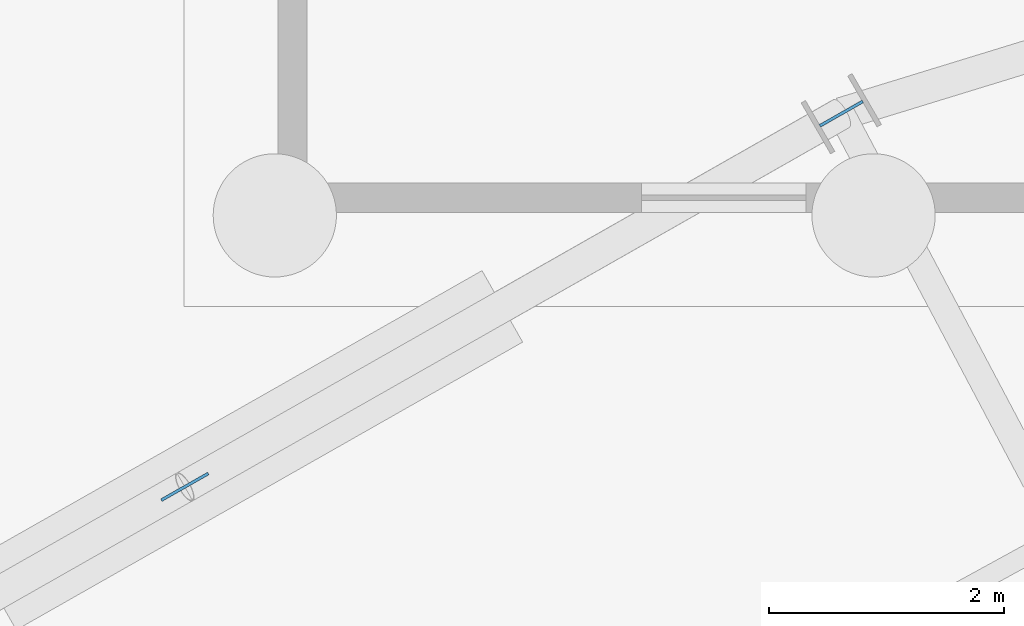
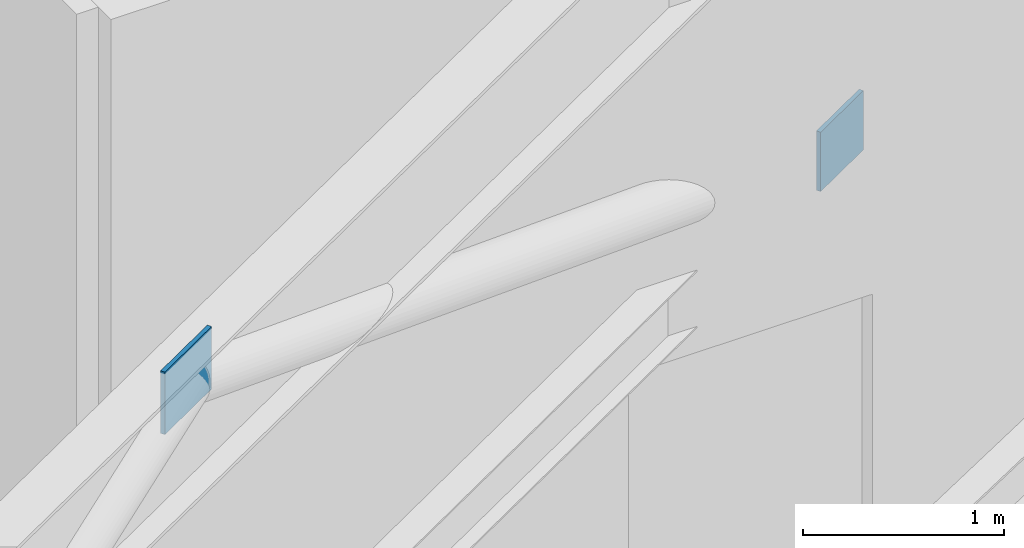
# One storey, part 46 of 93: 2 plates.
"""IFC4 building model written with IfcOpenShell, lengths in metres."""

import ifcopenshell
import ifcopenshell.guid

model = None  # the IFC model being written
_history = None  # IfcOwnerHistory: only IFC2X3 demands one
_inside = {}  # id of a spatial element -> (the spatial element, [elements in it])
_under = {}  # id of a project, library or spatial element -> (it, [spatial elements below it])
_declared = {}  # id of a project -> (the project, [libraries it declares])
_typed = {}  # id of a type object -> (the type object, [elements of that type])
_made_of = {}  # id of a material, layer set ... -> (it, [elements and type objects made of it])


def new_model(schema):
    """Start an empty IFC model of exactly this schema.

    Asked for "IFC4X3", IfcOpenShell would pick the latest addendum, in which some entities
    have other attributes; the version numbers below select the first issue.
    IFC2X3 requires an IfcOwnerHistory on every rooted entity: one is made here for all.
    """
    global model, _history
    if schema == "IFC4X3":
        model = ifcopenshell.file(schema_version=(4, 3, 0, 0))
    else:
        model = ifcopenshell.file(schema=schema)
    _inside.clear()
    _under.clear()
    _declared.clear()
    _typed.clear()
    _made_of.clear()
    _history = None
    if model.schema == "IFC2X3":
        org = make("IfcOrganization", Name="unknown")
        user = make(
            "IfcPersonAndOrganization",
            ThePerson=make("IfcPerson", FamilyName="unknown"),
            TheOrganization=org,
        )
        app = make(
            "IfcApplication",
            ApplicationDeveloper=org,
            Version="unknown",
            ApplicationFullName="unknown",
            ApplicationIdentifier="unknown",
        )
        _history = make(
            "IfcOwnerHistory",
            OwningUser=user,
            OwningApplication=app,
            ChangeAction="ADDED",
            CreationDate=0,
        )
    return model


def make(cls, **values):
    """One entity of the class cls with the attributes given. An attribute that is None is left unset."""
    return model.create_entity(
        cls, **{name: value for name, value in values.items() if value is not None}
    )


def rooted(cls, **values):
    """An entity with a GlobalId (a new one), such as an element, a storey or a relation."""
    return make(cls, GlobalId=ifcopenshell.guid.new(), OwnerHistory=_history, **values)


def si_unit(unit_type, name, prefix=None):
    """IfcSIUnit, for example si_unit("LENGTHUNIT", "METRE", prefix="MILLI")."""
    return make("IfcSIUnit", UnitType=unit_type, Prefix=prefix, Name=name)


def assignment(units):
    """IfcUnitAssignment: the units of a project."""
    return None if units is None else make("IfcUnitAssignment", Units=units)


def point(xyz):
    """IfcCartesianPoint."""
    return None if xyz is None else make("IfcCartesianPoint", Coordinates=xyz)


def direction(xyz):
    """IfcDirection."""
    return None if xyz is None else make("IfcDirection", DirectionRatios=xyz)


def frame(location, z_axis=None, x_axis=None):
    """IfcAxis2Placement3D, a coordinate frame: its origin and axes. An axis left out is left unset."""
    return make(
        "IfcAxis2Placement3D",
        Location=point(location),
        Axis=direction(z_axis),
        RefDirection=direction(x_axis),
    )


def frame_2d(location, x_axis=None):
    """IfcAxis2Placement2D, a coordinate frame in the plane: its origin and x axis."""
    return make(
        "IfcAxis2Placement2D", Location=point(location), RefDirection=direction(x_axis)
    )


def origin():
    """The frame at (0, 0, 0) with its axes left unset."""
    return frame((0.0, 0.0, 0.0))


def origin_2d():
    """The frame at (0, 0) in the plane with its x axis left unset."""
    return frame_2d((0.0, 0.0))


def place(relative_to, where):
    """IfcLocalPlacement: puts the frame where relative to a parent placement (None: the world)."""
    return make(
        "IfcLocalPlacement", PlacementRelTo=relative_to, RelativePlacement=where
    )


def context(
    kind, dimensions, precision=None, world=None, true_north=None, identifier=None
):
    """IfcGeometricRepresentationContext, for example the 3D "Model" context."""
    return make(
        "IfcGeometricRepresentationContext",
        ContextIdentifier=identifier,
        ContextType=kind,
        CoordinateSpaceDimension=dimensions,
        Precision=precision,
        WorldCoordinateSystem=world,
        TrueNorth=true_north,
    )


def subcontext(parent, identifier, kind, view, scale=None):
    """IfcGeometricRepresentationSubContext, for example "Body" below "Model"."""
    return make(
        "IfcGeometricRepresentationSubContext",
        ContextIdentifier=identifier,
        ContextType=kind,
        ParentContext=parent,
        TargetScale=scale,
        TargetView=view,
    )


def project(units=None, contexts=None):
    """IfcProject with its units and contexts."""
    return rooted(
        "IfcProject",
        Name="project",
        RepresentationContexts=contexts,
        UnitsInContext=assignment(units),
    )


def spatial(cls, under=None, at=None, **own):
    """A site, building, storey or space (cls), placed at a placement, below another one or the project."""
    s = rooted(cls, ObjectPlacement=at, **own)
    if under is not None:
        _under.setdefault(under.id(), (under, []))[1].append(s)
    return s


def profile(cls, at=None, kind="AREA", **sizes):
    """A parametric profile (cls). Its sizes go by their IFC names, for example OverallWidth=200.0."""
    return make(cls, ProfileType=kind, Position=at, **sizes)


def rectangle(**sizes):
    """IfcRectangleProfileDef."""
    return profile("IfcRectangleProfileDef", **sizes)


def extrude(swept, where, along, depth):
    """IfcExtrudedAreaSolid: the profile swept, set in the frame where, extruded along a direction by depth."""
    return make(
        "IfcExtrudedAreaSolid",
        SweptArea=swept,
        Position=where,
        ExtrudedDirection=direction(along),
        Depth=depth,
    )


def shape(context_of_items, identifier, shape_type, items):
    """IfcShapeRepresentation: the items that make up one representation, for example the "Body"."""
    return make(
        "IfcShapeRepresentation",
        ContextOfItems=context_of_items,
        RepresentationIdentifier=identifier,
        RepresentationType=shape_type,
        Items=items,
    )


def material(Name=None, Category=None):
    """IfcMaterial."""
    return make("IfcMaterial", Name=Name, Category=Category)


def layer(
    of_material, thickness, ventilated=None, Name=None, Category=None, Priority=None
):
    """IfcMaterialLayer: one layer of a wall or slab, of a material (None: an air gap)."""
    return make(
        "IfcMaterialLayer",
        Material=of_material,
        LayerThickness=thickness,
        IsVentilated=ventilated,
        Name=Name,
        Category=Category,
        Priority=Priority,
    )


def layer_set(layers, Name=None):
    """IfcMaterialLayerSet."""
    return make("IfcMaterialLayerSet", MaterialLayers=layers, LayerSetName=Name)


def made_of(thing, what):
    """Note that an element or type object is made of a material, layer set ...; save() writes the relation."""
    if what is not None:
        _made_of.setdefault(what.id(), (what, []))[1].append(thing)
    return thing


def type_object(cls, material=None, **own):
    """A type object (cls), such as IfcWallType, which elements share."""
    return made_of(rooted(cls, **own), material)


def element(
    cls,
    number,
    at=None,
    inside=None,
    cuts=None,
    type_object=None,
    material=None,
    context=None,
    identifier="Body",
    shape_type=None,
    held_by="IfcProductDefinitionShape",
    body=None,
    shapes=None,
    **own,
):
    """One element of the class cls, such as IfcWall. Its Tag is "e" and its number.

    at: its placement. inside: the storey or other place that contains it. cuts: it is an
    opening in that element (IfcRelVoidsElement). A single representation is given by context,
    identifier, shape_type and body (its items); several are given by shapes. held_by: the class
    of the entity that holds the representations. save() writes the other relations.
    """
    e = rooted(cls, Tag="e%d" % number, ObjectPlacement=at, **own)
    if body is not None:
        shapes = [shape(context, identifier, shape_type, body)]
    if shapes is not None:
        e.Representation = make(held_by, Representations=shapes)
    if inside is not None:
        _inside.setdefault(inside.id(), (inside, []))[1].append(e)
    if cuts is not None:
        rooted(
            "IfcRelVoidsElement", RelatingBuildingElement=cuts, RelatedOpeningElement=e
        )
    if type_object is not None:
        _typed.setdefault(type_object.id(), (type_object, []))[1].append(e)
    return made_of(e, material)


def aggregate(whole, parts):
    """IfcRelAggregates: a whole, such as a stair, and the parts it consists of."""
    return rooted("IfcRelAggregates", RelatingObject=whole, RelatedObjects=parts)


def save(model, path):
    """Write the relations noted so far, then the file.

    IfcRelAggregates (storeys below a building ...), IfcRelContainedInSpatialStructure (elements
    in a storey), IfcRelDefinesByType, IfcRelAssociatesMaterial and IfcRelDeclares: one each for
    every whole, place, type object, material and project.
    """
    for whole, parts in _under.values():
        aggregate(whole, parts)
    for where, things in _inside.values():
        rooted(
            "IfcRelContainedInSpatialStructure",
            RelatedElements=things,
            RelatingStructure=where,
        )
    for kind, things in _typed.values():
        rooted("IfcRelDefinesByType", RelatedObjects=things, RelatingType=kind)
    for what, things in _made_of.values():
        rooted("IfcRelAssociatesMaterial", RelatedObjects=things, RelatingMaterial=what)
    for by, libraries in _declared.values():
        rooted("IfcRelDeclares", RelatingContext=by, RelatedDefinitions=libraries)
    model.write(path)


model = new_model("IFC4")

# Units and contexts
model_context = context("Model", 3, precision=1e-05, world=origin(), true_north=direction((0.0, 1.0)))
body_context = subcontext(model_context, "Body", "Model", "MODEL_VIEW")
ifc_project = project(units=[si_unit("LENGTHUNIT", "METRE"), si_unit("AREAUNIT", "SQUARE_METRE"), si_unit("VOLUMEUNIT", "CUBIC_METRE"), si_unit("PLANEANGLEUNIT", "RADIAN"), si_unit("MASSUNIT", "GRAM", prefix="KILO")], contexts=[model_context])

# Site, building, storey
site_placement = place(None, origin())
site = spatial("IfcSite", under=ifc_project, at=site_placement, CompositionType="ELEMENT")
building_placement = place(site_placement, origin())
building = spatial("IfcBuilding", under=site, at=building_placement, Name="Kalgoora Escarpment Arena", CompositionType="ELEMENT")
storey_placement = place(building_placement, origin())
storey = spatial("IfcBuildingStorey", under=building, at=storey_placement, Name="L00", CompositionType="ELEMENT", Elevation=0.0)

# Plates
ifc_material = material(Name="Structural steel Grade 350 (350 MPa)", Category="steel")
ifc_layer = layer(ifc_material, 0.02490234375)
ifc_layer_set = layer_set([ifc_layer], Name="PLT-GUSSET-25")
plate_type = type_object("IfcPlateType", Name="PLT-GUSSET-25", PredefinedType="USERDEFINED", material=ifc_layer_set)
plate_1_placement = place(storey_placement, frame((59.80810546875, 95.462646484375, 4.760009765625), z_axis=(0.0, 0.0, 1.0), x_axis=(-0.869408707144, -0.494093614554, 0.0)))
element("IfcPlate", 1, at=plate_1_placement, inside=storey, type_object=plate_type, Name="L00 chevron gusset cap plate R09", ObjectType="FLANGE PLATE", PredefinedType="USERDEFINED", context=body_context, shape_type="SweptSolid", body=[
    extrude(rectangle(XDim=0.4599609375, YDim=0.02490234375, at=origin_2d()), origin(), (0.0, 0.0, 1.0), 0.3798828125),
])
plate_2_placement = place(storey_placement, frame((65.39990234375, 98.64111328125, 2.33984375), z_axis=(0.0, 0.0, 1.0), x_axis=(-0.869494929505, -0.493941866584, 0.0)))
element("IfcPlate", 2, at=plate_2_placement, inside=storey, type_object=plate_type, Name="Brace and post end gusset plate 003", ObjectType="FLANGE PLATE", PredefinedType="USERDEFINED", context=body_context, shape_type="SweptSolid", body=[
    extrude(rectangle(XDim=0.419921875, YDim=0.02490234375, at=origin_2d()), origin(), (0.0, 0.0, 1.0), 0.360107421875),
])

save(model, "model.ifc")
